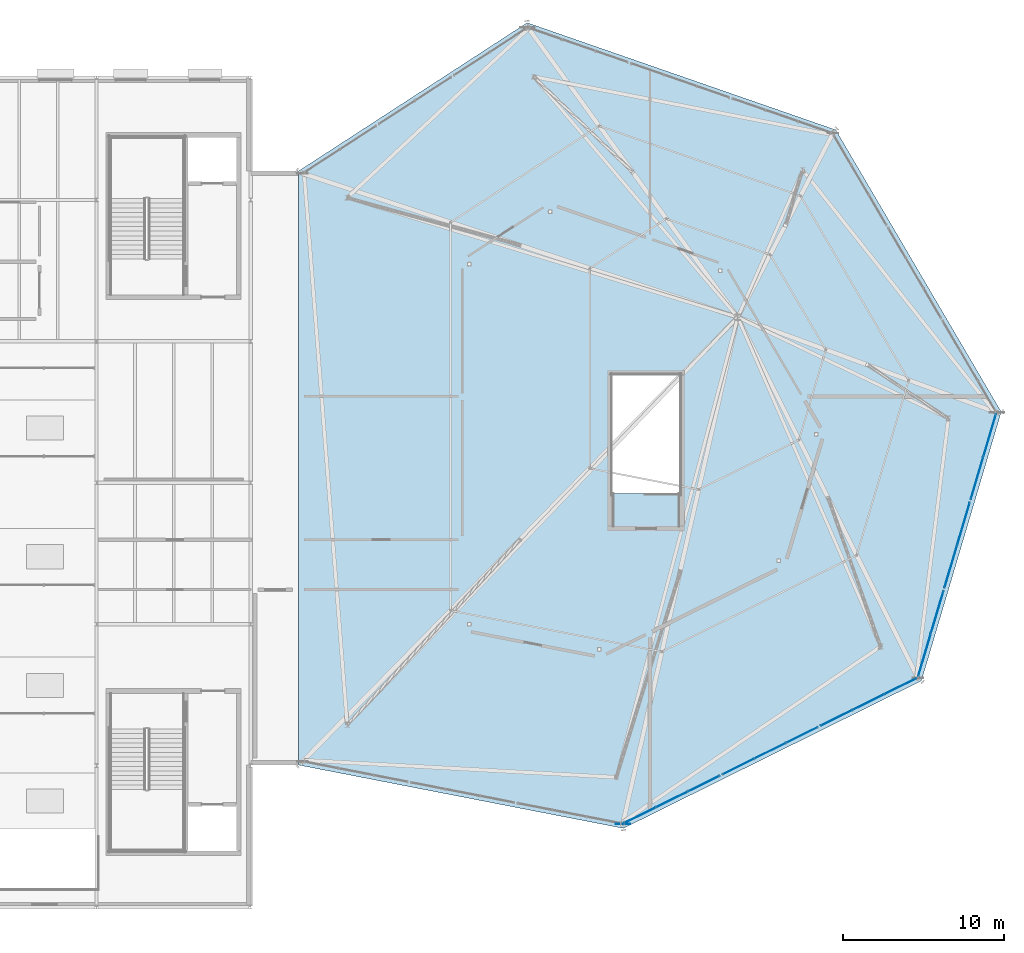
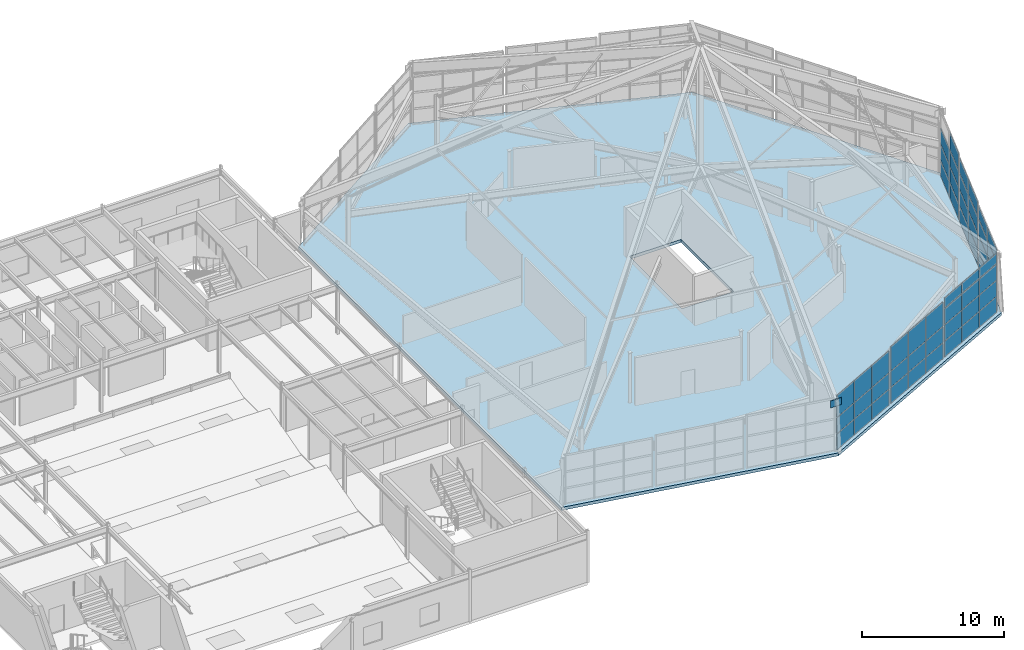
# One storey, part 26 of 50: 54 plates, 1 slab, 10 elements without a shape of their own.
"""IFC4 building model written with IfcOpenShell, lengths in metres."""

from ifc_helpers import new_model, si_unit, direction, frame, origin, origin_2d, place, context, subcontext, project, spatial, polyline, rectangle, outline, extrude, material, layer, layer_set, type_object, element, aggregate, save


model = new_model("IFC4")

# Units and contexts
model_context = context("Model", 3, precision=1e-05, world=origin(), true_north=direction((0.0, 1.0)))
body_context = subcontext(model_context, "Body", "Model", "MODEL_VIEW")
ifc_project = project(units=[si_unit("LENGTHUNIT", "METRE"), si_unit("AREAUNIT", "SQUARE_METRE"), si_unit("VOLUMEUNIT", "CUBIC_METRE"), si_unit("PLANEANGLEUNIT", "RADIAN"), si_unit("MASSUNIT", "GRAM", prefix="KILO")], contexts=[model_context])

# Site, building, storey
site_placement = place(None, origin())
site = spatial("IfcSite", under=ifc_project, at=site_placement, CompositionType="ELEMENT")
building_placement = place(site_placement, origin())
building = spatial("IfcBuilding", under=site, at=building_placement, Name="Sarnbrook Museum", CompositionType="ELEMENT")
storey_placement = place(building_placement, frame((0.0, 0.0, 28.10009765625)))
storey = spatial("IfcBuildingStorey", under=building, at=storey_placement, Name="L05", CompositionType="ELEMENT", Elevation=28.10009765625)

# Curtain wall, plates
ifc_material_1 = material(Name="Thermally Broken Anodised Aluminium 6063-T6", Category="aluminium")
curtain_wall_type_1 = type_object("IfcCurtainWallType", Name="CurtainWall_CrystalFacet", PredefinedType="NOTDEFINED", material=ifc_material_1)
curtain_wall_1_placement = place(storey_placement, origin())
curtain_wall_1 = element("IfcCurtainWall", 1, at=curtain_wall_1_placement, inside=storey, type_object=curtain_wall_type_1, Name="Crystal Hall Facet Curtain Wall L05-F2.1", PredefinedType="NOTDEFINED")
ifc_material_2 = material(Name="Double-Glazed Low-Iron Laminated Safety Glass", Category="glass")
ifc_layer_1 = layer(ifc_material_2, 0.031982421875)
ifc_layer_set_1 = layer_set([ifc_layer_1], Name="Double-Glazed Low-Iron Laminated Safety Glass")
plate_type_1 = type_object("IfcPlateType", Name="CW_GlazedPanel_32", PredefinedType="CURTAIN_PANEL", material=ifc_layer_set_1)
plate_1_placement = place(storey_placement, frame((143.40771484375, 62.52685546875, 0.699951171875), z_axis=(0.443727310093, -0.896161857188, 0.0), x_axis=(0.896161857188, 0.443727310093, 0.0)))
plate_1 = element("IfcPlate", 2, at=plate_1_placement, type_object=plate_type_1, Name="Crystal Hall Facet Curtain Wall L05-F2.1 Glazed Panel 1-1", PredefinedType="CURTAIN_PANEL", context=body_context, shape_type="SweptSolid", body=[
    extrude(rectangle(XDim=2.14697265625, YDim=1.330078125, at=origin_2d()), origin(), (0.0, 0.0, 1.0), 0.031982421875),
])
plate_2_placement = place(storey_placement, frame((143.40771484375, 62.52685546875, 2.099853515625), z_axis=(0.443727310093, -0.896161857188, 0.0), x_axis=(0.896161857188, 0.443727310093, 0.0)))
plate_2 = element("IfcPlate", 3, at=plate_2_placement, type_object=plate_type_1, Name="Crystal Hall Facet Curtain Wall L05-F2.1 Glazed Panel 1-2", PredefinedType="CURTAIN_PANEL", context=body_context, shape_type="SweptSolid", body=[
    extrude(rectangle(XDim=2.14697265625, YDim=1.330078125, at=origin_2d()), origin(), (0.0, 0.0, 1.0), 0.031982421875),
])
plate_3_placement = place(storey_placement, frame((143.40771484375, 62.52685546875, 3.764892578125), z_axis=(0.443727310093, -0.896161857188, 0.0), x_axis=(0.896161857188, 0.443727310093, 0.0)))
plate_3 = element("IfcPlate", 4, at=plate_3_placement, type_object=plate_type_1, Name="Crystal Hall Facet Curtain Wall L05-F2.1 Glazed Panel 1-3", PredefinedType="CURTAIN_PANEL", context=body_context, shape_type="SweptSolid", body=[
    extrude(rectangle(XDim=2.14697265625, YDim=1.860107421875, at=origin_2d()), origin(), (0.0, 0.0, 1.0), 0.031982421875),
])
plate_4_placement = place(storey_placement, frame((145.39892578125, 63.5126953125, 0.699951171875), z_axis=(0.443727310093, -0.896161857188, 0.0), x_axis=(0.896161857188, 0.443727310093, 0.0)))
plate_4 = element("IfcPlate", 5, at=plate_4_placement, type_object=plate_type_1, Name="Crystal Hall Facet Curtain Wall L05-F2.1 Glazed Panel 2-1", PredefinedType="CURTAIN_PANEL", context=body_context, shape_type="SweptSolid", body=[
    extrude(rectangle(XDim=2.14697265625, YDim=1.330078125, at=origin_2d()), origin(), (0.0, 0.0, 1.0), 0.031982421875),
])
plate_5_placement = place(storey_placement, frame((145.39892578125, 63.5126953125, 2.099853515625), z_axis=(0.443727310093, -0.896161857188, 0.0), x_axis=(0.896161857188, 0.443727310093, 0.0)))
plate_5 = element("IfcPlate", 6, at=plate_5_placement, type_object=plate_type_1, Name="Crystal Hall Facet Curtain Wall L05-F2.1 Glazed Panel 2-2", PredefinedType="CURTAIN_PANEL", context=body_context, shape_type="SweptSolid", body=[
    extrude(rectangle(XDim=2.14697265625, YDim=1.330078125, at=origin_2d()), origin(), (0.0, 0.0, 1.0), 0.031982421875),
])
plate_6_placement = place(storey_placement, frame((145.39892578125, 63.5126953125, 3.764892578125), z_axis=(0.443727310093, -0.896161857188, 0.0), x_axis=(0.896161857188, 0.443727310093, 0.0)))
plate_6 = element("IfcPlate", 7, at=plate_6_placement, type_object=plate_type_1, Name="Crystal Hall Facet Curtain Wall L05-F2.1 Glazed Panel 2-3", PredefinedType="CURTAIN_PANEL", context=body_context, shape_type="SweptSolid", body=[
    extrude(rectangle(XDim=2.14697265625, YDim=1.860107421875, at=origin_2d()), origin(), (0.0, 0.0, 1.0), 0.031982421875),
])
plate_7_placement = place(storey_placement, frame((147.39013671875, 64.498779296875, 0.699951171875), z_axis=(0.443727310093, -0.896161857188, 0.0), x_axis=(0.896161857188, 0.443727310093, 0.0)))
plate_7 = element("IfcPlate", 8, at=plate_7_placement, type_object=plate_type_1, Name="Crystal Hall Facet Curtain Wall L05-F2.1 Glazed Panel 3-1", PredefinedType="CURTAIN_PANEL", context=body_context, shape_type="SweptSolid", body=[
    extrude(rectangle(XDim=2.14697265625, YDim=1.330078125, at=origin_2d()), origin(), (0.0, 0.0, 1.0), 0.031982421875),
])
plate_8_placement = place(storey_placement, frame((147.39013671875, 64.498779296875, 2.099853515625), z_axis=(0.443727310093, -0.896161857188, 0.0), x_axis=(0.896161857188, 0.443727310093, 0.0)))
plate_8 = element("IfcPlate", 9, at=plate_8_placement, type_object=plate_type_1, Name="Crystal Hall Facet Curtain Wall L05-F2.1 Glazed Panel 3-2", PredefinedType="CURTAIN_PANEL", context=body_context, shape_type="SweptSolid", body=[
    extrude(rectangle(XDim=2.14697265625, YDim=1.330078125, at=origin_2d()), origin(), (0.0, 0.0, 1.0), 0.031982421875),
])
plate_9_placement = place(storey_placement, frame((147.39013671875, 64.498779296875, 3.764892578125), z_axis=(0.443727310093, -0.896161857188, 0.0), x_axis=(0.896161857188, 0.443727310093, 0.0)))
plate_9 = element("IfcPlate", 10, at=plate_9_placement, type_object=plate_type_1, Name="Crystal Hall Facet Curtain Wall L05-F2.1 Glazed Panel 3-3", PredefinedType="CURTAIN_PANEL", context=body_context, shape_type="SweptSolid", body=[
    extrude(rectangle(XDim=2.14697265625, YDim=1.860107421875, at=origin_2d()), origin(), (0.0, 0.0, 1.0), 0.031982421875),
])
aggregate(curtain_wall_1, [plate_1, plate_2, plate_3, plate_4, plate_5, plate_6, plate_7, plate_8, plate_9])

curtain_wall_2_placement = place(storey_placement, origin())
curtain_wall_2 = element("IfcCurtainWall", 11, at=curtain_wall_2_placement, inside=storey, type_object=curtain_wall_type_1, Name="Crystal Hall Facet Curtain Wall L05-F2.2", PredefinedType="NOTDEFINED")
plate_10_placement = place(storey_placement, frame((149.52490234375, 65.5556640625, 0.699951171875), z_axis=(0.443727310093, -0.896161857188, 0.0), x_axis=(0.896161857188, 0.443727310093, 0.0)))
plate_10 = element("IfcPlate", 12, at=plate_10_placement, type_object=plate_type_1, Name="Crystal Hall Facet Curtain Wall L05-F2.2 Glazed Panel 1-1", PredefinedType="CURTAIN_PANEL", context=body_context, shape_type="SweptSolid", body=[
    extrude(rectangle(XDim=2.14697265625, YDim=1.330078125, at=origin_2d()), origin(), (0.0, 0.0, 1.0), 0.031982421875),
])
plate_11_placement = place(storey_placement, frame((149.52490234375, 65.5556640625, 2.099853515625), z_axis=(0.443727310093, -0.896161857188, 0.0), x_axis=(0.896161857188, 0.443727310093, 0.0)))
plate_11 = element("IfcPlate", 13, at=plate_11_placement, type_object=plate_type_1, Name="Crystal Hall Facet Curtain Wall L05-F2.2 Glazed Panel 1-2", PredefinedType="CURTAIN_PANEL", context=body_context, shape_type="SweptSolid", body=[
    extrude(rectangle(XDim=2.14697265625, YDim=1.330078125, at=origin_2d()), origin(), (0.0, 0.0, 1.0), 0.031982421875),
])
plate_12_placement = place(storey_placement, frame((149.52490234375, 65.5556640625, 3.864990234375), z_axis=(0.443727310093, -0.896161857188, 0.0), x_axis=(0.896161857188, 0.443727310093, 0.0)))
plate_12 = element("IfcPlate", 14, at=plate_12_placement, type_object=plate_type_1, Name="Crystal Hall Facet Curtain Wall L05-F2.2 Glazed Panel 1-3", PredefinedType="CURTAIN_PANEL", context=body_context, shape_type="SweptSolid", body=[
    extrude(rectangle(XDim=2.14697265625, YDim=2.06005859375, at=origin_2d()), origin(), (0.0, 0.0, 1.0), 0.031982421875),
])
plate_13_placement = place(storey_placement, frame((151.51611328125, 66.54150390625, 0.699951171875), z_axis=(0.443727310093, -0.896161857188, 0.0), x_axis=(0.896161857188, 0.443727310093, 0.0)))
plate_13 = element("IfcPlate", 15, at=plate_13_placement, type_object=plate_type_1, Name="Crystal Hall Facet Curtain Wall L05-F2.2 Glazed Panel 2-1", PredefinedType="CURTAIN_PANEL", context=body_context, shape_type="SweptSolid", body=[
    extrude(rectangle(XDim=2.14697265625, YDim=1.330078125, at=origin_2d()), origin(), (0.0, 0.0, 1.0), 0.031982421875),
])
plate_14_placement = place(storey_placement, frame((151.51611328125, 66.54150390625, 2.099853515625), z_axis=(0.443727310093, -0.896161857188, 0.0), x_axis=(0.896161857188, 0.443727310093, 0.0)))
plate_14 = element("IfcPlate", 16, at=plate_14_placement, type_object=plate_type_1, Name="Crystal Hall Facet Curtain Wall L05-F2.2 Glazed Panel 2-2", PredefinedType="CURTAIN_PANEL", context=body_context, shape_type="SweptSolid", body=[
    extrude(rectangle(XDim=2.14697265625, YDim=1.330078125, at=origin_2d()), origin(), (0.0, 0.0, 1.0), 0.031982421875),
])
plate_15_placement = place(storey_placement, frame((151.51611328125, 66.54150390625, 3.864990234375), z_axis=(0.443727310093, -0.896161857188, 0.0), x_axis=(0.896161857188, 0.443727310093, 0.0)))
plate_15 = element("IfcPlate", 17, at=plate_15_placement, type_object=plate_type_1, Name="Crystal Hall Facet Curtain Wall L05-F2.2 Glazed Panel 2-3", PredefinedType="CURTAIN_PANEL", context=body_context, shape_type="SweptSolid", body=[
    extrude(rectangle(XDim=2.14697265625, YDim=2.06005859375, at=origin_2d()), origin(), (0.0, 0.0, 1.0), 0.031982421875),
])
plate_16_placement = place(storey_placement, frame((153.50732421875, 67.527587890625, 0.699951171875), z_axis=(0.443727310093, -0.896161857188, 0.0), x_axis=(0.896161857188, 0.443727310093, 0.0)))
plate_16 = element("IfcPlate", 18, at=plate_16_placement, type_object=plate_type_1, Name="Crystal Hall Facet Curtain Wall L05-F2.2 Glazed Panel 3-1", PredefinedType="CURTAIN_PANEL", context=body_context, shape_type="SweptSolid", body=[
    extrude(rectangle(XDim=2.14697265625, YDim=1.330078125, at=origin_2d()), origin(), (0.0, 0.0, 1.0), 0.031982421875),
])
plate_17_placement = place(storey_placement, frame((153.50732421875, 67.527587890625, 2.099853515625), z_axis=(0.443727310093, -0.896161857188, 0.0), x_axis=(0.896161857188, 0.443727310093, 0.0)))
plate_17 = element("IfcPlate", 19, at=plate_17_placement, type_object=plate_type_1, Name="Crystal Hall Facet Curtain Wall L05-F2.2 Glazed Panel 3-2", PredefinedType="CURTAIN_PANEL", context=body_context, shape_type="SweptSolid", body=[
    extrude(rectangle(XDim=2.14697265625, YDim=1.330078125, at=origin_2d()), origin(), (0.0, 0.0, 1.0), 0.031982421875),
])
plate_18_placement = place(storey_placement, frame((153.50732421875, 67.527587890625, 3.864990234375), z_axis=(0.443727310093, -0.896161857188, 0.0), x_axis=(0.896161857188, 0.443727310093, 0.0)))
plate_18 = element("IfcPlate", 20, at=plate_18_placement, type_object=plate_type_1, Name="Crystal Hall Facet Curtain Wall L05-F2.2 Glazed Panel 3-3", PredefinedType="CURTAIN_PANEL", context=body_context, shape_type="SweptSolid", body=[
    extrude(rectangle(XDim=2.14697265625, YDim=2.06005859375, at=origin_2d()), origin(), (0.0, 0.0, 1.0), 0.031982421875),
])
aggregate(curtain_wall_2, [plate_10, plate_11, plate_12, plate_13, plate_14, plate_15, plate_16, plate_17, plate_18])

curtain_wall_3_placement = place(storey_placement, origin())
curtain_wall_3 = element("IfcCurtainWall", 21, at=curtain_wall_3_placement, inside=storey, type_object=curtain_wall_type_1, Name="Crystal Hall Facet Curtain Wall L05-F2.3", PredefinedType="NOTDEFINED")
plate_19_placement = place(storey_placement, frame((155.641845703125, 68.58447265625, 0.699951171875), z_axis=(0.443727310093, -0.896161857188, 0.0), x_axis=(0.896161857188, 0.443727310093, 0.0)))
plate_19 = element("IfcPlate", 22, at=plate_19_placement, type_object=plate_type_1, Name="Crystal Hall Facet Curtain Wall L05-F2.3 Glazed Panel 1-1", PredefinedType="CURTAIN_PANEL", context=body_context, shape_type="SweptSolid", body=[
    extrude(rectangle(XDim=2.14697265625, YDim=1.330078125, at=origin_2d()), origin(), (0.0, 0.0, 1.0), 0.031982421875),
])
plate_20_placement = place(storey_placement, frame((155.641845703125, 68.58447265625, 2.099853515625), z_axis=(0.443727310093, -0.896161857188, 0.0), x_axis=(0.896161857188, 0.443727310093, 0.0)))
plate_20 = element("IfcPlate", 23, at=plate_20_placement, type_object=plate_type_1, Name="Crystal Hall Facet Curtain Wall L05-F2.3 Glazed Panel 1-2", PredefinedType="CURTAIN_PANEL", context=body_context, shape_type="SweptSolid", body=[
    extrude(rectangle(XDim=2.14697265625, YDim=1.330078125, at=origin_2d()), origin(), (0.0, 0.0, 1.0), 0.031982421875),
])
plate_21_placement = place(storey_placement, frame((155.641845703125, 68.58447265625, 3.5), z_axis=(0.443727310093, -0.896161857188, 0.0), x_axis=(0.896161857188, 0.443727310093, 0.0)))
plate_21 = element("IfcPlate", 24, at=plate_21_placement, type_object=plate_type_1, Name="Crystal Hall Facet Curtain Wall L05-F2.3 Glazed Panel 1-3", PredefinedType="CURTAIN_PANEL", context=body_context, shape_type="SweptSolid", body=[
    extrude(rectangle(XDim=2.14697265625, YDim=1.330078125, at=origin_2d()), origin(), (0.0, 0.0, 1.0), 0.031982421875),
])
plate_22_placement = place(storey_placement, frame((157.633056640625, 69.5703125, 0.699951171875), z_axis=(0.443727310093, -0.896161857188, 0.0), x_axis=(0.896161857188, 0.443727310093, 0.0)))
plate_22 = element("IfcPlate", 25, at=plate_22_placement, type_object=plate_type_1, Name="Crystal Hall Facet Curtain Wall L05-F2.3 Glazed Panel 2-1", PredefinedType="CURTAIN_PANEL", context=body_context, shape_type="SweptSolid", body=[
    extrude(rectangle(XDim=2.14697265625, YDim=1.330078125, at=origin_2d()), origin(), (0.0, 0.0, 1.0), 0.031982421875),
])
plate_23_placement = place(storey_placement, frame((157.633056640625, 69.5703125, 2.099853515625), z_axis=(0.443727310093, -0.896161857188, 0.0), x_axis=(0.896161857188, 0.443727310093, 0.0)))
plate_23 = element("IfcPlate", 26, at=plate_23_placement, type_object=plate_type_1, Name="Crystal Hall Facet Curtain Wall L05-F2.3 Glazed Panel 2-2", PredefinedType="CURTAIN_PANEL", context=body_context, shape_type="SweptSolid", body=[
    extrude(rectangle(XDim=2.14697265625, YDim=1.330078125, at=origin_2d()), origin(), (0.0, 0.0, 1.0), 0.031982421875),
])
plate_24_placement = place(storey_placement, frame((157.633056640625, 69.5703125, 3.5), z_axis=(0.443727310093, -0.896161857188, 0.0), x_axis=(0.896161857188, 0.443727310093, 0.0)))
plate_24 = element("IfcPlate", 27, at=plate_24_placement, type_object=plate_type_1, Name="Crystal Hall Facet Curtain Wall L05-F2.3 Glazed Panel 2-3", PredefinedType="CURTAIN_PANEL", context=body_context, shape_type="SweptSolid", body=[
    extrude(rectangle(XDim=2.14697265625, YDim=1.330078125, at=origin_2d()), origin(), (0.0, 0.0, 1.0), 0.031982421875),
])
plate_25_placement = place(storey_placement, frame((159.624267578125, 70.556396484375, 0.699951171875), z_axis=(0.443727310093, -0.896161857188, 0.0), x_axis=(0.896161857188, 0.443727310093, 0.0)))
plate_25 = element("IfcPlate", 28, at=plate_25_placement, type_object=plate_type_1, Name="Crystal Hall Facet Curtain Wall L05-F2.3 Glazed Panel 3-1", PredefinedType="CURTAIN_PANEL", context=body_context, shape_type="SweptSolid", body=[
    extrude(rectangle(XDim=2.14697265625, YDim=1.330078125, at=origin_2d()), origin(), (0.0, 0.0, 1.0), 0.031982421875),
])
plate_26_placement = place(storey_placement, frame((159.624267578125, 70.556396484375, 2.099853515625), z_axis=(0.443727310093, -0.896161857188, 0.0), x_axis=(0.896161857188, 0.443727310093, 0.0)))
plate_26 = element("IfcPlate", 29, at=plate_26_placement, type_object=plate_type_1, Name="Crystal Hall Facet Curtain Wall L05-F2.3 Glazed Panel 3-2", PredefinedType="CURTAIN_PANEL", context=body_context, shape_type="SweptSolid", body=[
    extrude(rectangle(XDim=2.14697265625, YDim=1.330078125, at=origin_2d()), origin(), (0.0, 0.0, 1.0), 0.031982421875),
])
plate_27_placement = place(storey_placement, frame((159.624267578125, 70.556396484375, 3.5), z_axis=(0.443727310093, -0.896161857188, 0.0), x_axis=(0.896161857188, 0.443727310093, 0.0)))
plate_27 = element("IfcPlate", 30, at=plate_27_placement, type_object=plate_type_1, Name="Crystal Hall Facet Curtain Wall L05-F2.3 Glazed Panel 3-3", PredefinedType="CURTAIN_PANEL", context=body_context, shape_type="SweptSolid", body=[
    extrude(rectangle(XDim=2.14697265625, YDim=1.330078125, at=origin_2d()), origin(), (0.0, 0.0, 1.0), 0.031982421875),
])
aggregate(curtain_wall_3, [plate_19, plate_20, plate_21, plate_22, plate_23, plate_24, plate_25, plate_26, plate_27])

curtain_wall_type_2 = type_object("IfcCurtainWallType", Name="CurtainWall_Sawtooth", PredefinedType="NOTDEFINED", material=ifc_material_1)
curtain_wall_4_placement = place(storey_placement, origin())
curtain_wall_4 = element("IfcCurtainWall", 31, at=curtain_wall_4_placement, inside=storey, type_object=curtain_wall_type_2, Name="Crystal Roof Folded Eaves Clerestory 1", PredefinedType="NOTDEFINED")
plate_28_placement = place(storey_placement, frame((155.641845703125, 68.58447265625, 4.6748046875), z_axis=(0.443727310093, -0.896161857188, 0.0), x_axis=(0.896161857188, 0.443727310093, 0.0)))
plate_28 = element("IfcPlate", 32, at=plate_28_placement, type_object=plate_type_1, Name="Crystal Roof Folded Eaves Clerestory 1 Glazed Panel 1-1", PredefinedType="CURTAIN_PANEL", context=body_context, shape_type="SweptSolid", body=[
    extrude(rectangle(XDim=2.14697265625, YDim=0.840087890625, at=origin_2d()), origin(), (0.0, 0.0, 1.0), 0.031982421875),
])
plate_29_placement = place(storey_placement, frame((157.633056640625, 69.5703125, 4.6748046875), z_axis=(0.443727310093, -0.896161857188, 0.0), x_axis=(0.896161857188, 0.443727310093, 0.0)))
plate_29 = element("IfcPlate", 33, at=plate_29_placement, type_object=plate_type_1, Name="Crystal Roof Folded Eaves Clerestory 1 Glazed Panel 2-1", PredefinedType="CURTAIN_PANEL", context=body_context, shape_type="SweptSolid", body=[
    extrude(rectangle(XDim=2.14697265625, YDim=0.840087890625, at=origin_2d()), origin(), (0.0, 0.0, 1.0), 0.031982421875),
])
plate_30_placement = place(storey_placement, frame((159.624267578125, 70.556396484375, 4.6748046875), z_axis=(0.443727310093, -0.896161857188, 0.0), x_axis=(0.896161857188, 0.443727310093, 0.0)))
plate_30 = element("IfcPlate", 34, at=plate_30_placement, type_object=plate_type_1, Name="Crystal Roof Folded Eaves Clerestory 1 Glazed Panel 3-1", PredefinedType="CURTAIN_PANEL", context=body_context, shape_type="SweptSolid", body=[
    extrude(rectangle(XDim=2.14697265625, YDim=0.840087890625, at=origin_2d()), origin(), (0.0, 0.0, 1.0), 0.031982421875),
])
aggregate(curtain_wall_4, [plate_28, plate_29, plate_30])

curtain_wall_5_placement = place(storey_placement, origin())
curtain_wall_5 = element("IfcCurtainWall", 35, at=curtain_wall_5_placement, inside=storey, type_object=curtain_wall_type_1, Name="Crystal Hall Facet Curtain Wall L05-F3.1", PredefinedType="NOTDEFINED")
plate_31_placement = place(storey_placement, frame((161.10693359375, 72.492919921875, 0.699951171875), z_axis=(0.958647188199, -0.284597204059, 0.0), x_axis=(0.284597204059, 0.958647188199, 0.0)))
plate_31 = element("IfcPlate", 36, at=plate_31_placement, type_object=plate_type_1, Name="Crystal Hall Facet Curtain Wall L05-F3.1 Glazed Panel 1-1", PredefinedType="CURTAIN_PANEL", context=body_context, shape_type="SweptSolid", body=[
    extrude(rectangle(XDim=2.712890625, YDim=1.330078125, at=origin_2d()), origin(), (0.0, 0.0, 1.0), 0.031982421875),
])
plate_32_placement = place(storey_placement, frame((161.10693359375, 72.492919921875, 2.099853515625), z_axis=(0.958647188199, -0.284597204059, 0.0), x_axis=(0.284597204059, 0.958647188199, 0.0)))
plate_32 = element("IfcPlate", 37, at=plate_32_placement, type_object=plate_type_1, Name="Crystal Hall Facet Curtain Wall L05-F3.1 Glazed Panel 1-2", PredefinedType="CURTAIN_PANEL", context=body_context, shape_type="SweptSolid", body=[
    extrude(rectangle(XDim=2.712890625, YDim=1.330078125, at=origin_2d()), origin(), (0.0, 0.0, 1.0), 0.031982421875),
])
plate_33_placement = place(storey_placement, frame((161.10693359375, 72.492919921875, 3.5), z_axis=(0.958647188199, -0.284597204059, 0.0), x_axis=(0.284597204059, 0.958647188199, 0.0)))
plate_33 = element("IfcPlate", 38, at=plate_33_placement, type_object=plate_type_1, Name="Crystal Hall Facet Curtain Wall L05-F3.1 Glazed Panel 1-3", PredefinedType="CURTAIN_PANEL", context=body_context, shape_type="SweptSolid", body=[
    extrude(rectangle(XDim=2.712890625, YDim=1.330078125, at=origin_2d()), origin(), (0.0, 0.0, 1.0), 0.031982421875),
])
plate_34_placement = place(storey_placement, frame((161.900146484375, 75.16552734375, 0.699951171875), z_axis=(0.958647188199, -0.284597204059, 0.0), x_axis=(0.284597204059, 0.958647188199, 0.0)))
plate_34 = element("IfcPlate", 39, at=plate_34_placement, type_object=plate_type_1, Name="Crystal Hall Facet Curtain Wall L05-F3.1 Glazed Panel 2-1", PredefinedType="CURTAIN_PANEL", context=body_context, shape_type="SweptSolid", body=[
    extrude(rectangle(XDim=2.712890625, YDim=1.330078125, at=origin_2d()), origin(), (0.0, 0.0, 1.0), 0.031982421875),
])
plate_35_placement = place(storey_placement, frame((161.900146484375, 75.16552734375, 2.099853515625), z_axis=(0.958647188199, -0.284597204059, 0.0), x_axis=(0.284597204059, 0.958647188199, 0.0)))
plate_35 = element("IfcPlate", 40, at=plate_35_placement, type_object=plate_type_1, Name="Crystal Hall Facet Curtain Wall L05-F3.1 Glazed Panel 2-2", PredefinedType="CURTAIN_PANEL", context=body_context, shape_type="SweptSolid", body=[
    extrude(rectangle(XDim=2.712890625, YDim=1.330078125, at=origin_2d()), origin(), (0.0, 0.0, 1.0), 0.031982421875),
])
plate_36_placement = place(storey_placement, frame((161.900146484375, 75.16552734375, 3.5), z_axis=(0.958647188199, -0.284597204059, 0.0), x_axis=(0.284597204059, 0.958647188199, 0.0)))
plate_36 = element("IfcPlate", 41, at=plate_36_placement, type_object=plate_type_1, Name="Crystal Hall Facet Curtain Wall L05-F3.1 Glazed Panel 2-3", PredefinedType="CURTAIN_PANEL", context=body_context, shape_type="SweptSolid", body=[
    extrude(rectangle(XDim=2.712890625, YDim=1.330078125, at=origin_2d()), origin(), (0.0, 0.0, 1.0), 0.031982421875),
])
aggregate(curtain_wall_5, [plate_31, plate_32, plate_33, plate_34, plate_35, plate_36])

curtain_wall_6_placement = place(storey_placement, origin())
curtain_wall_6 = element("IfcCurtainWall", 42, at=curtain_wall_6_placement, inside=storey, type_object=curtain_wall_type_2, Name="Crystal Roof Folded Eaves Clerestory 2", PredefinedType="NOTDEFINED")
plate_37_placement = place(storey_placement, frame((161.10693359375, 72.492919921875, 4.77490234375), z_axis=(0.958647188199, -0.284597204059, 0.0), x_axis=(0.284597204059, 0.958647188199, 0.0)))
plate_37 = element("IfcPlate", 43, at=plate_37_placement, type_object=plate_type_1, Name="Crystal Roof Folded Eaves Clerestory 2 Glazed Panel 1-1", PredefinedType="CURTAIN_PANEL", context=body_context, shape_type="SweptSolid", body=[
    extrude(rectangle(XDim=2.712890625, YDim=1.0400390625, at=origin_2d()), origin(), (0.0, 0.0, 1.0), 0.031982421875),
])
plate_38_placement = place(storey_placement, frame((161.900146484375, 75.16552734375, 4.77490234375), z_axis=(0.958647188199, -0.284597204059, 0.0), x_axis=(0.284597204059, 0.958647188199, 0.0)))
plate_38 = element("IfcPlate", 44, at=plate_38_placement, type_object=plate_type_1, Name="Crystal Roof Folded Eaves Clerestory 2 Glazed Panel 2-1", PredefinedType="CURTAIN_PANEL", context=body_context, shape_type="SweptSolid", body=[
    extrude(rectangle(XDim=2.712890625, YDim=1.0400390625, at=origin_2d()), origin(), (0.0, 0.0, 1.0), 0.031982421875),
])
aggregate(curtain_wall_6, [plate_37, plate_38])

curtain_wall_7_placement = place(storey_placement, origin())
curtain_wall_7 = element("IfcCurtainWall", 45, at=curtain_wall_7_placement, inside=storey, type_object=curtain_wall_type_1, Name="Crystal Hall Facet Curtain Wall L05-F3.2", PredefinedType="NOTDEFINED")
plate_39_placement = place(storey_placement, frame((162.7392578125, 77.991455078125, 0.699951171875), z_axis=(0.958647188199, -0.284597204059, 0.0), x_axis=(0.284597204059, 0.958647188199, 0.0)))
plate_39 = element("IfcPlate", 46, at=plate_39_placement, type_object=plate_type_1, Name="Crystal Hall Facet Curtain Wall L05-F3.2 Glazed Panel 1-1", PredefinedType="CURTAIN_PANEL", context=body_context, shape_type="SweptSolid", body=[
    extrude(rectangle(XDim=2.712890625, YDim=1.330078125, at=origin_2d()), origin(), (0.0, 0.0, 1.0), 0.031982421875),
])
plate_40_placement = place(storey_placement, frame((162.7392578125, 77.991455078125, 2.099853515625), z_axis=(0.958647188199, -0.284597204059, 0.0), x_axis=(0.284597204059, 0.958647188199, 0.0)))
plate_40 = element("IfcPlate", 47, at=plate_40_placement, type_object=plate_type_1, Name="Crystal Hall Facet Curtain Wall L05-F3.2 Glazed Panel 1-2", PredefinedType="CURTAIN_PANEL", context=body_context, shape_type="SweptSolid", body=[
    extrude(rectangle(XDim=2.712890625, YDim=1.330078125, at=origin_2d()), origin(), (0.0, 0.0, 1.0), 0.031982421875),
])
plate_41_placement = place(storey_placement, frame((162.7392578125, 77.991455078125, 3.5), z_axis=(0.958647188199, -0.284597204059, 0.0), x_axis=(0.284597204059, 0.958647188199, 0.0)))
plate_41 = element("IfcPlate", 48, at=plate_41_placement, type_object=plate_type_1, Name="Crystal Hall Facet Curtain Wall L05-F3.2 Glazed Panel 1-3", PredefinedType="CURTAIN_PANEL", context=body_context, shape_type="SweptSolid", body=[
    extrude(rectangle(XDim=2.712890625, YDim=1.330078125, at=origin_2d()), origin(), (0.0, 0.0, 1.0), 0.031982421875),
])
plate_42_placement = place(storey_placement, frame((163.53271484375, 80.6640625, 0.699951171875), z_axis=(0.958647188199, -0.284597204059, 0.0), x_axis=(0.284597204059, 0.958647188199, 0.0)))
plate_42 = element("IfcPlate", 49, at=plate_42_placement, type_object=plate_type_1, Name="Crystal Hall Facet Curtain Wall L05-F3.2 Glazed Panel 2-1", PredefinedType="CURTAIN_PANEL", context=body_context, shape_type="SweptSolid", body=[
    extrude(rectangle(XDim=2.712890625, YDim=1.330078125, at=origin_2d()), origin(), (0.0, 0.0, 1.0), 0.031982421875),
])
plate_43_placement = place(storey_placement, frame((163.53271484375, 80.6640625, 2.099853515625), z_axis=(0.958647188199, -0.284597204059, 0.0), x_axis=(0.284597204059, 0.958647188199, 0.0)))
plate_43 = element("IfcPlate", 50, at=plate_43_placement, type_object=plate_type_1, Name="Crystal Hall Facet Curtain Wall L05-F3.2 Glazed Panel 2-2", PredefinedType="CURTAIN_PANEL", context=body_context, shape_type="SweptSolid", body=[
    extrude(rectangle(XDim=2.712890625, YDim=1.330078125, at=origin_2d()), origin(), (0.0, 0.0, 1.0), 0.031982421875),
])
plate_44_placement = place(storey_placement, frame((163.53271484375, 80.6640625, 3.5), z_axis=(0.958647188199, -0.284597204059, 0.0), x_axis=(0.284597204059, 0.958647188199, 0.0)))
plate_44 = element("IfcPlate", 51, at=plate_44_placement, type_object=plate_type_1, Name="Crystal Hall Facet Curtain Wall L05-F3.2 Glazed Panel 2-3", PredefinedType="CURTAIN_PANEL", context=body_context, shape_type="SweptSolid", body=[
    extrude(rectangle(XDim=2.712890625, YDim=1.330078125, at=origin_2d()), origin(), (0.0, 0.0, 1.0), 0.031982421875),
])
aggregate(curtain_wall_7, [plate_39, plate_40, plate_41, plate_42, plate_43, plate_44])

curtain_wall_8_placement = place(storey_placement, origin())
curtain_wall_8 = element("IfcCurtainWall", 52, at=curtain_wall_8_placement, inside=storey, type_object=curtain_wall_type_2, Name="Crystal Roof Folded Eaves Clerestory 3", PredefinedType="NOTDEFINED")
plate_45_placement = place(storey_placement, frame((162.7392578125, 77.991455078125, 4.875), z_axis=(0.958647188199, -0.284597204059, 0.0), x_axis=(0.284597204059, 0.958647188199, 0.0)))
plate_45 = element("IfcPlate", 53, at=plate_45_placement, type_object=plate_type_1, Name="Crystal Roof Folded Eaves Clerestory 3 Glazed Panel 1-1", PredefinedType="CURTAIN_PANEL", context=body_context, shape_type="SweptSolid", body=[
    extrude(rectangle(XDim=2.712890625, YDim=1.239990234375, at=origin_2d()), origin(), (0.0, 0.0, 1.0), 0.031982421875),
])
plate_46_placement = place(storey_placement, frame((163.53271484375, 80.6640625, 4.875), z_axis=(0.958647188199, -0.284597204059, 0.0), x_axis=(0.284597204059, 0.958647188199, 0.0)))
plate_46 = element("IfcPlate", 54, at=plate_46_placement, type_object=plate_type_1, Name="Crystal Roof Folded Eaves Clerestory 3 Glazed Panel 2-1", PredefinedType="CURTAIN_PANEL", context=body_context, shape_type="SweptSolid", body=[
    extrude(rectangle(XDim=2.712890625, YDim=1.239990234375, at=origin_2d()), origin(), (0.0, 0.0, 1.0), 0.031982421875),
])
aggregate(curtain_wall_8, [plate_45, plate_46])

curtain_wall_9_placement = place(storey_placement, origin())
curtain_wall_9 = element("IfcCurtainWall", 55, at=curtain_wall_9_placement, inside=storey, type_object=curtain_wall_type_1, Name="Crystal Hall Facet Curtain Wall L05-F3.3", PredefinedType="NOTDEFINED")
plate_47_placement = place(storey_placement, frame((164.37158203125, 83.490234375, 0.699951171875), z_axis=(0.958647188199, -0.284597204059, 0.0), x_axis=(0.284597204059, 0.958647188199, 0.0)))
plate_47 = element("IfcPlate", 56, at=plate_47_placement, type_object=plate_type_1, Name="Crystal Hall Facet Curtain Wall L05-F3.3 Glazed Panel 1-1", PredefinedType="CURTAIN_PANEL", context=body_context, shape_type="SweptSolid", body=[
    extrude(rectangle(XDim=2.712890625, YDim=1.330078125, at=origin_2d()), origin(), (0.0, 0.0, 1.0), 0.031982421875),
])
plate_48_placement = place(storey_placement, frame((164.37158203125, 83.490234375, 2.099853515625), z_axis=(0.958647188199, -0.284597204059, 0.0), x_axis=(0.284597204059, 0.958647188199, 0.0)))
plate_48 = element("IfcPlate", 57, at=plate_48_placement, type_object=plate_type_1, Name="Crystal Hall Facet Curtain Wall L05-F3.3 Glazed Panel 1-2", PredefinedType="CURTAIN_PANEL", context=body_context, shape_type="SweptSolid", body=[
    extrude(rectangle(XDim=2.712890625, YDim=1.330078125, at=origin_2d()), origin(), (0.0, 0.0, 1.0), 0.031982421875),
])
plate_49_placement = place(storey_placement, frame((164.37158203125, 83.490234375, 3.5), z_axis=(0.958647188199, -0.284597204059, 0.0), x_axis=(0.284597204059, 0.958647188199, 0.0)))
plate_49 = element("IfcPlate", 58, at=plate_49_placement, type_object=plate_type_1, Name="Crystal Hall Facet Curtain Wall L05-F3.3 Glazed Panel 1-3", PredefinedType="CURTAIN_PANEL", context=body_context, shape_type="SweptSolid", body=[
    extrude(rectangle(XDim=2.712890625, YDim=1.330078125, at=origin_2d()), origin(), (0.0, 0.0, 1.0), 0.031982421875),
])
plate_50_placement = place(storey_placement, frame((165.1650390625, 86.162841796875, 0.699951171875), z_axis=(0.958647188199, -0.284597204059, 0.0), x_axis=(0.284597204059, 0.958647188199, 0.0)))
plate_50 = element("IfcPlate", 59, at=plate_50_placement, type_object=plate_type_1, Name="Crystal Hall Facet Curtain Wall L05-F3.3 Glazed Panel 2-1", PredefinedType="CURTAIN_PANEL", context=body_context, shape_type="SweptSolid", body=[
    extrude(rectangle(XDim=2.712890625, YDim=1.330078125, at=origin_2d()), origin(), (0.0, 0.0, 1.0), 0.031982421875),
])
plate_51_placement = place(storey_placement, frame((165.1650390625, 86.162841796875, 2.099853515625), z_axis=(0.958647188199, -0.284597204059, 0.0), x_axis=(0.284597204059, 0.958647188199, 0.0)))
plate_51 = element("IfcPlate", 60, at=plate_51_placement, type_object=plate_type_1, Name="Crystal Hall Facet Curtain Wall L05-F3.3 Glazed Panel 2-2", PredefinedType="CURTAIN_PANEL", context=body_context, shape_type="SweptSolid", body=[
    extrude(rectangle(XDim=2.712890625, YDim=1.330078125, at=origin_2d()), origin(), (0.0, 0.0, 1.0), 0.031982421875),
])
plate_52_placement = place(storey_placement, frame((165.1650390625, 86.162841796875, 3.5), z_axis=(0.958647188199, -0.284597204059, 0.0), x_axis=(0.284597204059, 0.958647188199, 0.0)))
plate_52 = element("IfcPlate", 61, at=plate_52_placement, type_object=plate_type_1, Name="Crystal Hall Facet Curtain Wall L05-F3.3 Glazed Panel 2-3", PredefinedType="CURTAIN_PANEL", context=body_context, shape_type="SweptSolid", body=[
    extrude(rectangle(XDim=2.712890625, YDim=1.330078125, at=origin_2d()), origin(), (0.0, 0.0, 1.0), 0.031982421875),
])
aggregate(curtain_wall_9, [plate_47, plate_48, plate_49, plate_50, plate_51, plate_52])

# Curtain wall, plate
curtain_wall_10_placement = place(storey_placement, origin())
curtain_wall_10 = element("IfcCurtainWall", 62, at=curtain_wall_10_placement, inside=storey, type_object=curtain_wall_type_2, Name="Crystal Roof Folded Eaves Clerestory 4", PredefinedType="NOTDEFINED")
plate_53_placement = place(storey_placement, frame((164.37158203125, 83.490234375, 4.974853515625), z_axis=(0.958647188199, -0.284597204059, 0.0), x_axis=(0.284597204059, 0.958647188199, 0.0)))
plate_53 = element("IfcPlate", 63, at=plate_53_placement, type_object=plate_type_1, Name="Crystal Roof Folded Eaves Clerestory 4 Glazed Panel 1-1", PredefinedType="CURTAIN_PANEL", context=body_context, shape_type="SweptSolid", body=[
    extrude(rectangle(XDim=2.712890625, YDim=1.43994140625, at=origin_2d()), origin(), (0.0, 0.0, 1.0), 0.031982421875),
])
aggregate(curtain_wall_10, [plate_53])

# Slab
ifc_material_3 = material(Name="Concrete N40 (AS 3600, f'c = 40 MPa)", Category="concrete")
ifc_layer_2 = layer(ifc_material_3, 0.260009765625)
ifc_layer_set_2 = layer_set([ifc_layer_2], Name="Concrete N40 (AS 3600, f'c = 40 MPa)")
slab_type = type_object("IfcSlabType", Name="FloorSlab_260", PredefinedType="FLOOR", material=ifc_layer_set_2)
slab_placement = place(storey_placement, frame((0.0, 0.0, -0.260009765625)))
element("IfcSlab", 64, at=slab_placement, inside=storey, type_object=slab_type, Name="V1 Structural Slab L05", PredefinedType="FLOOR", context=body_context, shape_type="SweptSolid", body=[
    extrude(outline(polyline([(136.39697265625, 111.826416015625), (155.597412109375, 105.15966796875), (165.894287109375, 87.610107421875), (160.927978515625, 70.88134765625), (142.38330078125, 61.69921875), (122.162109375, 65.640625), (122.162109375, 102.5908203125), (136.39697265625, 111.826416015625)]), holes=[polyline([(145.89990234375, 89.89990234375), (145.89990234375, 82.5205078125), (141.699951171875, 82.5205078125), (141.699951171875, 89.89990234375), (145.89990234375, 89.89990234375)])]), origin(), (0.0, 0.0, 1.0), 0.260009765625),
])

# Plate
ifc_material_4 = material(Name="Structural Steel Grade 350L0 (AS/NZS 3678, fy = 340 MPa for 20 < t <= 40 mm)", Category="steel")
ifc_layer_3 = layer(ifc_material_4, 0.031982421875)
ifc_layer_set_3 = layer_set([ifc_layer_3], Name="Structural Steel Grade 350L0 (AS/NZS 3678, fy = 340 MPa for 20 < t <= 40 mm)")
plate_type_2 = type_object("IfcPlateType", Name="GussetPlate_KN6", PredefinedType="USERDEFINED", material=ifc_layer_set_3)
plate_54_placement = place(storey_placement, frame((142.347412109375, 61.9677734375, 3.869873046875), z_axis=(0.0, 0.0, 1.0), x_axis=(1.0, 0.0, 0.0)))
element("IfcPlate", 65, at=plate_54_placement, inside=storey, type_object=plate_type_2, Name="Crystal Roof Eaves Node Plate KN6-2", ObjectType="GUSSET PLATE", PredefinedType="USERDEFINED", context=body_context, shape_type="SweptSolid", body=[
    extrude(rectangle(XDim=0.89990234375, YDim=0.031982421875, at=origin_2d()), origin(), (0.0, 0.0, 1.0), 0.60009765625),
])

save(model, "model.ifc")
